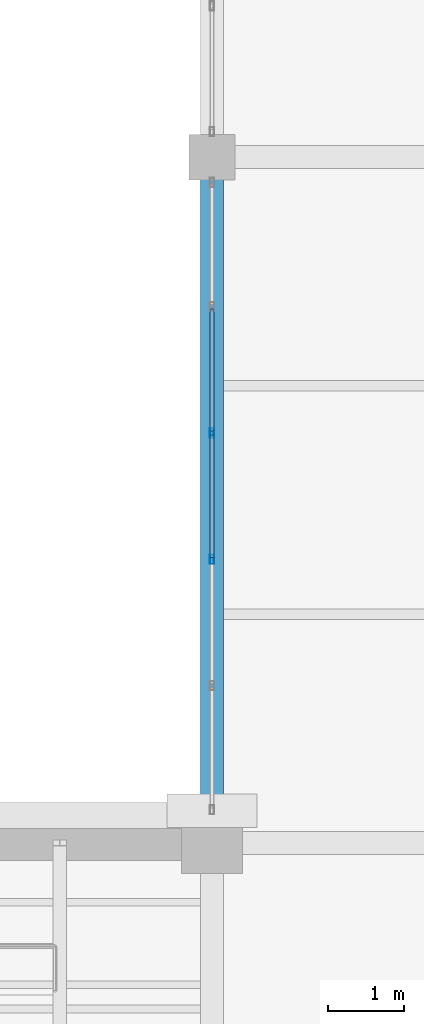
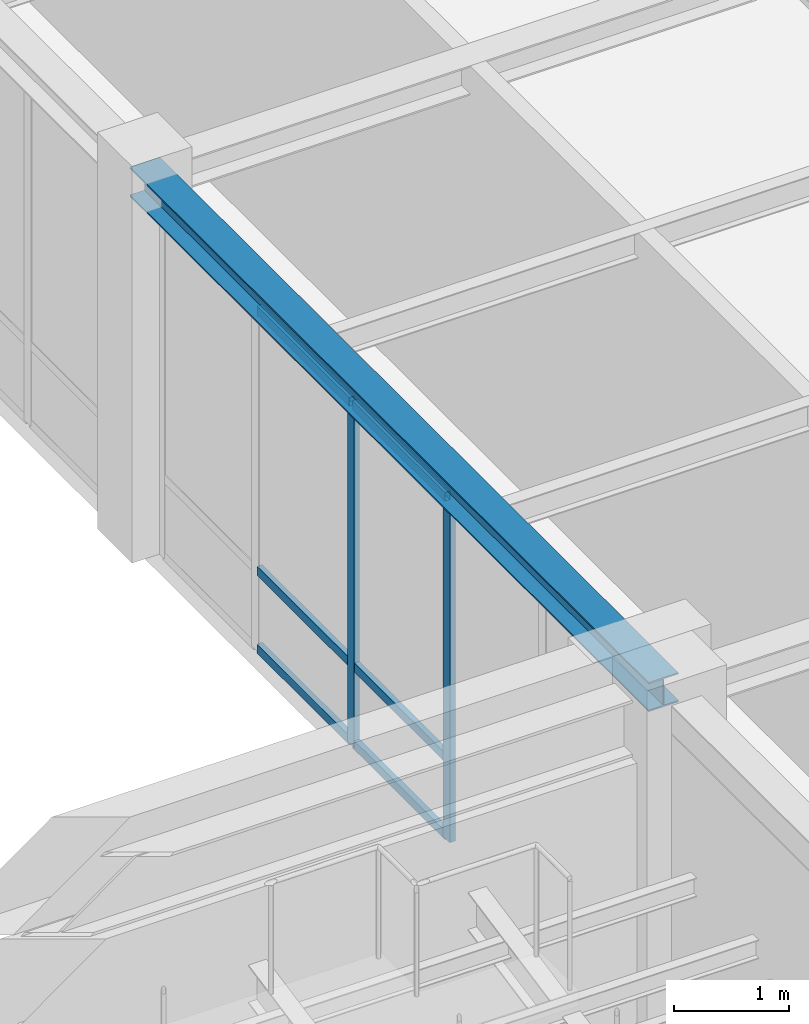
# One storey, part 28 of 130: 8 members, 1 beam, 1 element without a shape of its own.
"""IFC4 building model written with IfcOpenShell, lengths in metres."""

from ifc_helpers import new_model, si_unit, direction, frame, origin, origin_2d, place, context, subcontext, project, spatial, hollow_rectangle, i_section, extrude, material, material_profile, profile_set, type_object, element, aggregate, save


model = new_model("IFC4")

# Units and contexts
model_context = context("Model", 3, precision=1e-05, world=origin(), true_north=direction((0.0, 1.0)))
body_context = subcontext(model_context, "Body", "Model", "MODEL_VIEW")
ifc_project = project(units=[si_unit("LENGTHUNIT", "METRE"), si_unit("AREAUNIT", "SQUARE_METRE"), si_unit("VOLUMEUNIT", "CUBIC_METRE"), si_unit("PLANEANGLEUNIT", "RADIAN"), si_unit("MASSUNIT", "GRAM", prefix="KILO")], contexts=[model_context])

# Site, building, storey
site_placement = place(None, origin())
site = spatial("IfcSite", under=ifc_project, at=site_placement, CompositionType="ELEMENT")
building_placement = place(site_placement, origin())
building = spatial("IfcBuilding", under=site, at=building_placement, Name="Lykobir Media Centre", CompositionType="ELEMENT")
storey_placement = place(building_placement, frame((0.0, 0.0, 19.199951171875)))
storey = spatial("IfcBuildingStorey", under=building, at=storey_placement, Name="L04", CompositionType="ELEMENT", Elevation=19.199951171875)

# Curtain wall, members
ifc_material_1 = material(Name="Anodized Aluminium AW-6060", Category="aluminium")
curtain_wall_type = type_object("IfcCurtainWallType", Name="CW-COURT-B", PredefinedType="NOTDEFINED", material=ifc_material_1)
curtain_wall_placement = place(storey_placement, origin())
curtain_wall = element("IfcCurtainWall", 1, at=curtain_wall_placement, inside=storey, type_object=curtain_wall_type, Name="Curtain wall CW2-L04-0167", PredefinedType="NOTDEFINED")
ifc_material_profile_1 = material_profile(ifc_material_1, hollow_rectangle(XDim=0.054931640625, YDim=0.1201171875, WallThickness=0.003173828125, at=origin_2d()), Name="ALU MULLION 55x120")
ifc_profile_set_1 = profile_set([ifc_material_profile_1], Name="Anodized Aluminium AW-6060")
member_type_1 = type_object("IfcMemberType", Name="CWM-120", PredefinedType="MULLION", material=ifc_profile_set_1)
member_1_placement = place(storey_placement, frame((27.0, 48.720947265625, 0.0), z_axis=(0.0, 0.0, 1.0), x_axis=(-1.0, 0.0, 0.0)))
member_1 = element("IfcMember", 2, at=member_1_placement, type_object=member_type_1, Name="CW2-L04-0167 mullion 3", PredefinedType="MULLION", context=body_context, shape_type="SweptSolid", body=[
    extrude(hollow_rectangle(XDim=0.054931640625, YDim=0.1201171875, WallThickness=0.003173828125, at=origin_2d()), origin(), (0.0, 0.0, 1.0), 3.635009765625),
])
member_2_placement = place(storey_placement, frame((27.0, 50.37890625, 0.0), z_axis=(0.0, 0.0, 1.0), x_axis=(-1.0, 0.0, 0.0)))
member_2 = element("IfcMember", 3, at=member_2_placement, type_object=member_type_1, Name="CW2-L04-0167 mullion 4", PredefinedType="MULLION", context=body_context, shape_type="SweptSolid", body=[
    extrude(hollow_rectangle(XDim=0.054931640625, YDim=0.1201171875, WallThickness=0.003173828125, at=origin_2d()), origin(), (0.0, 0.0, 1.0), 3.635009765625),
])
ifc_material_profile_2 = material_profile(ifc_material_1, hollow_rectangle(XDim=0.054931640625, YDim=0.094970703125, WallThickness=0.0029296875, at=origin_2d()), Name="ALU TRANSOM 55x95")
ifc_profile_set_2 = profile_set([ifc_material_profile_2], Name="Anodized Aluminium AW-6060")
member_type_2 = type_object("IfcMemberType", Name="CWT-095", PredefinedType="USERDEFINED", material=ifc_profile_set_2)
member_3_placement = place(storey_placement, frame((27.0, 48.74853515625, 0.027587890625), z_axis=(0.0, 1.0, 0.0), x_axis=(-1.0, 0.0, 0.0)))
member_3 = element("IfcMember", 4, at=member_3_placement, type_object=member_type_2, Name="CW2-L04-0167 transom 3.1", ObjectType="TRANSOM", PredefinedType="USERDEFINED", context=body_context, shape_type="SweptSolid", body=[
    extrude(hollow_rectangle(XDim=0.054931640625, YDim=0.094970703125, WallThickness=0.0029296875, at=origin_2d()), origin(), (0.0, 0.0, 1.0), 1.60302734375),
])
member_4_placement = place(storey_placement, frame((27.0, 48.74853515625, 0.85009765625), z_axis=(0.0, 1.0, 0.0), x_axis=(-1.0, 0.0, 0.0)))
member_4 = element("IfcMember", 5, at=member_4_placement, type_object=member_type_2, Name="CW2-L04-0167 transom 3.2", ObjectType="TRANSOM", PredefinedType="USERDEFINED", context=body_context, shape_type="SweptSolid", body=[
    extrude(hollow_rectangle(XDim=0.054931640625, YDim=0.094970703125, WallThickness=0.0029296875, at=origin_2d()), origin(), (0.0, 0.0, 1.0), 1.60302734375),
])
member_5_placement = place(storey_placement, frame((27.0, 48.74853515625, 3.607666015625), z_axis=(0.0, 1.0, 0.0), x_axis=(-1.0, 0.0, 0.0)))
member_5 = element("IfcMember", 6, at=member_5_placement, type_object=member_type_2, Name="CW2-L04-0167 transom 3.3", ObjectType="TRANSOM", PredefinedType="USERDEFINED", context=body_context, shape_type="SweptSolid", body=[
    extrude(hollow_rectangle(XDim=0.054931640625, YDim=0.094970703125, WallThickness=0.0029296875, at=origin_2d()), origin(), (0.0, 0.0, 1.0), 1.60302734375),
])
member_6_placement = place(storey_placement, frame((27.0, 50.406494140625, 0.027587890625), z_axis=(0.0, 1.0, 0.0), x_axis=(-1.0, 0.0, 0.0)))
member_6 = element("IfcMember", 7, at=member_6_placement, type_object=member_type_2, Name="CW2-L04-0167 transom 4.1", ObjectType="TRANSOM", PredefinedType="USERDEFINED", context=body_context, shape_type="SweptSolid", body=[
    extrude(hollow_rectangle(XDim=0.054931640625, YDim=0.094970703125, WallThickness=0.0029296875, at=origin_2d()), origin(), (0.0, 0.0, 1.0), 1.60302734375),
])
member_7_placement = place(storey_placement, frame((27.0, 50.406494140625, 0.85009765625), z_axis=(0.0, 1.0, 0.0), x_axis=(-1.0, 0.0, 0.0)))
member_7 = element("IfcMember", 8, at=member_7_placement, type_object=member_type_2, Name="CW2-L04-0167 transom 4.2", ObjectType="TRANSOM", PredefinedType="USERDEFINED", context=body_context, shape_type="SweptSolid", body=[
    extrude(hollow_rectangle(XDim=0.054931640625, YDim=0.094970703125, WallThickness=0.0029296875, at=origin_2d()), origin(), (0.0, 0.0, 1.0), 1.60302734375),
])
member_8_placement = place(storey_placement, frame((27.0, 50.406494140625, 3.607666015625), z_axis=(0.0, 1.0, 0.0), x_axis=(-1.0, 0.0, 0.0)))
member_8 = element("IfcMember", 9, at=member_8_placement, type_object=member_type_2, Name="CW2-L04-0167 transom 4.3", ObjectType="TRANSOM", PredefinedType="USERDEFINED", context=body_context, shape_type="SweptSolid", body=[
    extrude(hollow_rectangle(XDim=0.054931640625, YDim=0.094970703125, WallThickness=0.0029296875, at=origin_2d()), origin(), (0.0, 0.0, 1.0), 1.60302734375),
])
aggregate(curtain_wall, [member_1, member_2, member_3, member_4, member_5, member_6, member_7, member_8])

# Beam
ifc_material_2 = material(Name="Steel S355", Category="steel")
ifc_material_profile_3 = material_profile(ifc_material_2, i_section(OverallWidth=0.300048828125, OverallDepth=0.31005859375, WebThickness=0.009033203125, FlangeThickness=0.015380859375, at=origin_2d()), Name="HEA 320")
ifc_profile_set_3 = profile_set([ifc_material_profile_3], Name="Steel S355")
beam_type = type_object("IfcBeamType", Name="SP-HEA320", PredefinedType="SPANDREL", material=ifc_profile_set_3)
beam_placement = place(storey_placement, frame((27.0, 45.0, 3.804931640625), z_axis=(0.0, 1.0, 0.0), x_axis=(-1.0, 0.0, 0.0)))
element("IfcBeam", 10, at=beam_placement, inside=storey, type_object=beam_type, Name="Beam BM-L04-0270-0450-0270-0540-2300", PredefinedType="SPANDREL", context=body_context, shape_type="SweptSolid", body=[
    extrude(i_section(OverallWidth=0.300048828125, OverallDepth=0.31005859375, WebThickness=0.009033203125, FlangeThickness=0.015380859375, at=origin_2d()), origin(), (0.0, 0.0, 1.0), 9.0),
])

save(model, "model.ifc")
